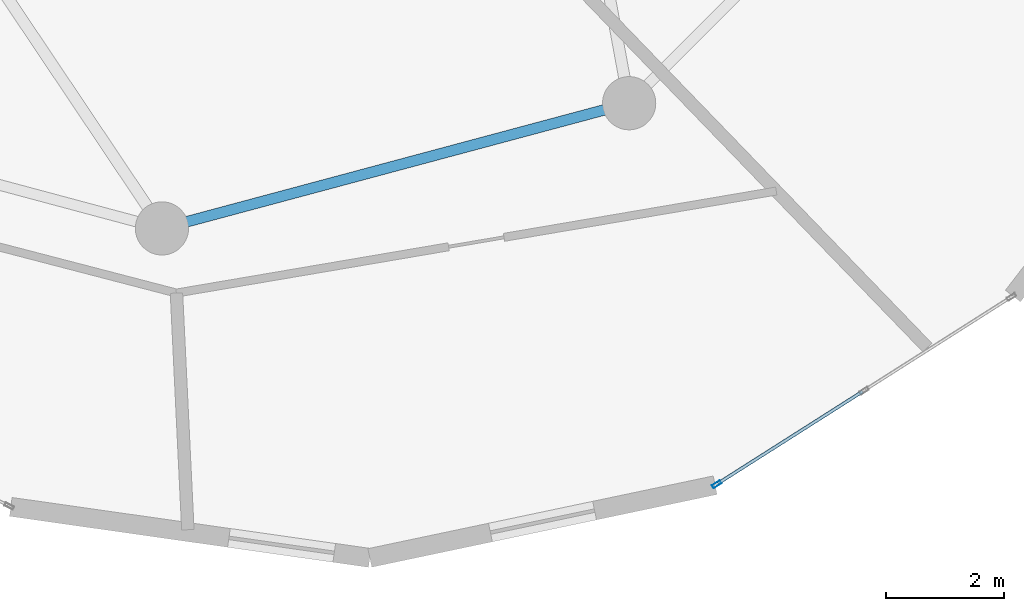
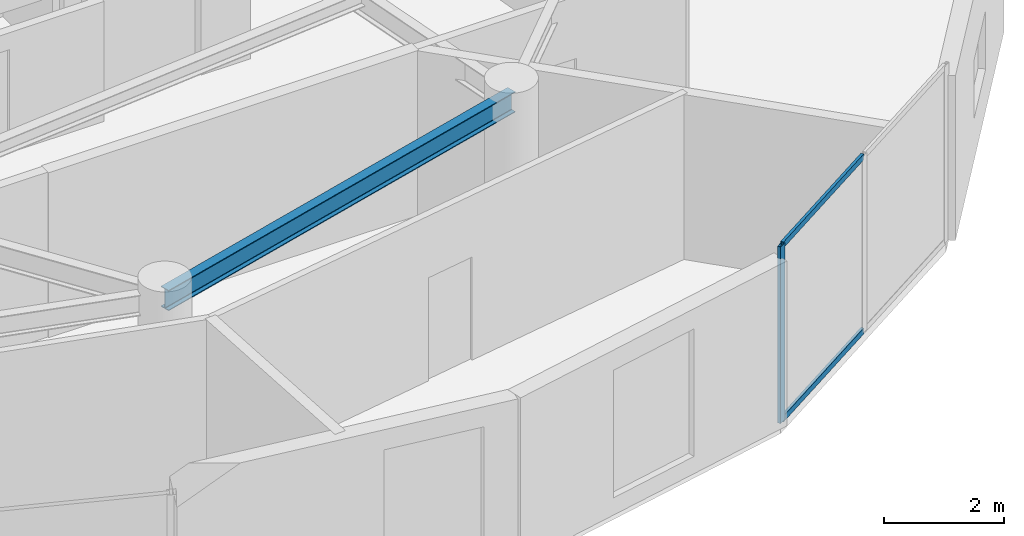
# One storey, part 5 of 19: 3 members, 1 beam, 1 element without a shape of its own.
"""IFC4 building model written with IfcOpenShell, lengths in metres."""

import ifcopenshell
import ifcopenshell.guid

model = None  # the IFC model being written
_history = None  # IfcOwnerHistory: only IFC2X3 demands one
_inside = {}  # id of a spatial element -> (the spatial element, [elements in it])
_under = {}  # id of a project, library or spatial element -> (it, [spatial elements below it])
_declared = {}  # id of a project -> (the project, [libraries it declares])
_typed = {}  # id of a type object -> (the type object, [elements of that type])
_made_of = {}  # id of a material, layer set ... -> (it, [elements and type objects made of it])


def new_model(schema):
    """Start an empty IFC model of exactly this schema.

    Asked for "IFC4X3", IfcOpenShell would pick the latest addendum, in which some entities
    have other attributes; the version numbers below select the first issue.
    IFC2X3 requires an IfcOwnerHistory on every rooted entity: one is made here for all.
    """
    global model, _history
    if schema == "IFC4X3":
        model = ifcopenshell.file(schema_version=(4, 3, 0, 0))
    else:
        model = ifcopenshell.file(schema=schema)
    _inside.clear()
    _under.clear()
    _declared.clear()
    _typed.clear()
    _made_of.clear()
    _history = None
    if model.schema == "IFC2X3":
        org = make("IfcOrganization", Name="unknown")
        user = make(
            "IfcPersonAndOrganization",
            ThePerson=make("IfcPerson", FamilyName="unknown"),
            TheOrganization=org,
        )
        app = make(
            "IfcApplication",
            ApplicationDeveloper=org,
            Version="unknown",
            ApplicationFullName="unknown",
            ApplicationIdentifier="unknown",
        )
        _history = make(
            "IfcOwnerHistory",
            OwningUser=user,
            OwningApplication=app,
            ChangeAction="ADDED",
            CreationDate=0,
        )
    return model


def make(cls, **values):
    """One entity of the class cls with the attributes given. An attribute that is None is left unset."""
    return model.create_entity(
        cls, **{name: value for name, value in values.items() if value is not None}
    )


def rooted(cls, **values):
    """An entity with a GlobalId (a new one), such as an element, a storey or a relation."""
    return make(cls, GlobalId=ifcopenshell.guid.new(), OwnerHistory=_history, **values)


def si_unit(unit_type, name, prefix=None):
    """IfcSIUnit, for example si_unit("LENGTHUNIT", "METRE", prefix="MILLI")."""
    return make("IfcSIUnit", UnitType=unit_type, Prefix=prefix, Name=name)


def assignment(units):
    """IfcUnitAssignment: the units of a project."""
    return None if units is None else make("IfcUnitAssignment", Units=units)


def point(xyz):
    """IfcCartesianPoint."""
    return None if xyz is None else make("IfcCartesianPoint", Coordinates=xyz)


def direction(xyz):
    """IfcDirection."""
    return None if xyz is None else make("IfcDirection", DirectionRatios=xyz)


def frame(location, z_axis=None, x_axis=None):
    """IfcAxis2Placement3D, a coordinate frame: its origin and axes. An axis left out is left unset."""
    return make(
        "IfcAxis2Placement3D",
        Location=point(location),
        Axis=direction(z_axis),
        RefDirection=direction(x_axis),
    )


def frame_2d(location, x_axis=None):
    """IfcAxis2Placement2D, a coordinate frame in the plane: its origin and x axis."""
    return make(
        "IfcAxis2Placement2D", Location=point(location), RefDirection=direction(x_axis)
    )


def origin():
    """The frame at (0, 0, 0) with its axes left unset."""
    return frame((0.0, 0.0, 0.0))


def origin_2d():
    """The frame at (0, 0) in the plane with its x axis left unset."""
    return frame_2d((0.0, 0.0))


def place(relative_to, where):
    """IfcLocalPlacement: puts the frame where relative to a parent placement (None: the world)."""
    return make(
        "IfcLocalPlacement", PlacementRelTo=relative_to, RelativePlacement=where
    )


def context(
    kind, dimensions, precision=None, world=None, true_north=None, identifier=None
):
    """IfcGeometricRepresentationContext, for example the 3D "Model" context."""
    return make(
        "IfcGeometricRepresentationContext",
        ContextIdentifier=identifier,
        ContextType=kind,
        CoordinateSpaceDimension=dimensions,
        Precision=precision,
        WorldCoordinateSystem=world,
        TrueNorth=true_north,
    )


def subcontext(parent, identifier, kind, view, scale=None):
    """IfcGeometricRepresentationSubContext, for example "Body" below "Model"."""
    return make(
        "IfcGeometricRepresentationSubContext",
        ContextIdentifier=identifier,
        ContextType=kind,
        ParentContext=parent,
        TargetScale=scale,
        TargetView=view,
    )


def project(units=None, contexts=None):
    """IfcProject with its units and contexts."""
    return rooted(
        "IfcProject",
        Name="project",
        RepresentationContexts=contexts,
        UnitsInContext=assignment(units),
    )


def spatial(cls, under=None, at=None, **own):
    """A site, building, storey or space (cls), placed at a placement, below another one or the project."""
    s = rooted(cls, ObjectPlacement=at, **own)
    if under is not None:
        _under.setdefault(under.id(), (under, []))[1].append(s)
    return s


def profile(cls, at=None, kind="AREA", **sizes):
    """A parametric profile (cls). Its sizes go by their IFC names, for example OverallWidth=200.0."""
    return make(cls, ProfileType=kind, Position=at, **sizes)


def hollow_rectangle(**sizes):
    """IfcRectangleHollowProfileDef."""
    return profile("IfcRectangleHollowProfileDef", **sizes)


def i_section(**sizes):
    """IfcIShapeProfileDef."""
    return profile("IfcIShapeProfileDef", **sizes)


def extrude(swept, where, along, depth):
    """IfcExtrudedAreaSolid: the profile swept, set in the frame where, extruded along a direction by depth."""
    return make(
        "IfcExtrudedAreaSolid",
        SweptArea=swept,
        Position=where,
        ExtrudedDirection=direction(along),
        Depth=depth,
    )


def shape(context_of_items, identifier, shape_type, items):
    """IfcShapeRepresentation: the items that make up one representation, for example the "Body"."""
    return make(
        "IfcShapeRepresentation",
        ContextOfItems=context_of_items,
        RepresentationIdentifier=identifier,
        RepresentationType=shape_type,
        Items=items,
    )


def source(mapping_origin, context_of_items, identifier, shape_type, items):
    """IfcRepresentationMap: a shape defined once, which mapped items show again and again."""
    return make(
        "IfcRepresentationMap",
        MappingOrigin=mapping_origin,
        MappedRepresentation=shape(context_of_items, identifier, shape_type, items),
    )


def transform(
    local_origin,
    x_axis=None,
    y_axis=None,
    z_axis=None,
    scale=None,
    scale2=None,
    scale3=None,
    uniform=True,
):
    """IfcCartesianTransformationOperator3D, or its non-uniform kind. x_axis, y_axis, z_axis: its Axis1, 2, 3."""
    if uniform:
        return make(
            "IfcCartesianTransformationOperator3D",
            Axis1=direction(x_axis),
            Axis2=direction(y_axis),
            LocalOrigin=point(local_origin),
            Scale=scale,
            Axis3=direction(z_axis),
        )
    return make(
        "IfcCartesianTransformationOperator3DnonUniform",
        Axis1=direction(x_axis),
        Axis2=direction(y_axis),
        LocalOrigin=point(local_origin),
        Scale=scale,
        Axis3=direction(z_axis),
        Scale2=scale2,
        Scale3=scale3,
    )


def mapped(mapping_source, mapping_target):
    """IfcMappedItem: shows the shape of a source again, moved by a transform."""
    return make(
        "IfcMappedItem", MappingSource=mapping_source, MappingTarget=mapping_target
    )


def material(Name=None, Category=None):
    """IfcMaterial."""
    return make("IfcMaterial", Name=Name, Category=Category)


def layer(
    of_material, thickness, ventilated=None, Name=None, Category=None, Priority=None
):
    """IfcMaterialLayer: one layer of a wall or slab, of a material (None: an air gap)."""
    return make(
        "IfcMaterialLayer",
        Material=of_material,
        LayerThickness=thickness,
        IsVentilated=ventilated,
        Name=Name,
        Category=Category,
        Priority=Priority,
    )


def layer_set(layers, Name=None):
    """IfcMaterialLayerSet."""
    return make("IfcMaterialLayerSet", MaterialLayers=layers, LayerSetName=Name)


def material_profile(
    of_material, cross_section, Name=None, Category=None, Priority=None
):
    """IfcMaterialProfile: a cross section and its material."""
    return make(
        "IfcMaterialProfile",
        Name=Name,
        Material=of_material,
        Profile=cross_section,
        Priority=Priority,
        Category=Category,
    )


def profile_set(profiles, Name=None, composite=None):
    """IfcMaterialProfileSet."""
    return make(
        "IfcMaterialProfileSet",
        Name=Name,
        MaterialProfiles=profiles,
        CompositeProfile=composite,
    )


def made_of(thing, what):
    """Note that an element or type object is made of a material, layer set ...; save() writes the relation."""
    if what is not None:
        _made_of.setdefault(what.id(), (what, []))[1].append(thing)
    return thing


def type_object(cls, material=None, **own):
    """A type object (cls), such as IfcWallType, which elements share."""
    return made_of(rooted(cls, **own), material)


def element(
    cls,
    number,
    at=None,
    inside=None,
    cuts=None,
    type_object=None,
    material=None,
    context=None,
    identifier="Body",
    shape_type=None,
    held_by="IfcProductDefinitionShape",
    body=None,
    shapes=None,
    **own,
):
    """One element of the class cls, such as IfcWall. Its Tag is "e" and its number.

    at: its placement. inside: the storey or other place that contains it. cuts: it is an
    opening in that element (IfcRelVoidsElement). A single representation is given by context,
    identifier, shape_type and body (its items); several are given by shapes. held_by: the class
    of the entity that holds the representations. save() writes the other relations.
    """
    e = rooted(cls, Tag="e%d" % number, ObjectPlacement=at, **own)
    if body is not None:
        shapes = [shape(context, identifier, shape_type, body)]
    if shapes is not None:
        e.Representation = make(held_by, Representations=shapes)
    if inside is not None:
        _inside.setdefault(inside.id(), (inside, []))[1].append(e)
    if cuts is not None:
        rooted(
            "IfcRelVoidsElement", RelatingBuildingElement=cuts, RelatedOpeningElement=e
        )
    if type_object is not None:
        _typed.setdefault(type_object.id(), (type_object, []))[1].append(e)
    return made_of(e, material)


def aggregate(whole, parts):
    """IfcRelAggregates: a whole, such as a stair, and the parts it consists of."""
    return rooted("IfcRelAggregates", RelatingObject=whole, RelatedObjects=parts)


def save(model, path):
    """Write the relations noted so far, then the file.

    IfcRelAggregates (storeys below a building ...), IfcRelContainedInSpatialStructure (elements
    in a storey), IfcRelDefinesByType, IfcRelAssociatesMaterial and IfcRelDeclares: one each for
    every whole, place, type object, material and project.
    """
    for whole, parts in _under.values():
        aggregate(whole, parts)
    for where, things in _inside.values():
        rooted(
            "IfcRelContainedInSpatialStructure",
            RelatedElements=things,
            RelatingStructure=where,
        )
    for kind, things in _typed.values():
        rooted("IfcRelDefinesByType", RelatedObjects=things, RelatingType=kind)
    for what, things in _made_of.values():
        rooted("IfcRelAssociatesMaterial", RelatedObjects=things, RelatingMaterial=what)
    for by, libraries in _declared.values():
        rooted("IfcRelDeclares", RelatingContext=by, RelatedDefinitions=libraries)
    model.write(path)


model = new_model("IFC4")

# Units and contexts
model_context = context("Model", 3, precision=1e-05, world=origin(), true_north=direction((0.0, 1.0)))
body_context = subcontext(model_context, "Body", "Model", "MODEL_VIEW")
ifc_project = project(units=[si_unit("LENGTHUNIT", "METRE"), si_unit("AREAUNIT", "SQUARE_METRE"), si_unit("VOLUMEUNIT", "CUBIC_METRE"), si_unit("PLANEANGLEUNIT", "RADIAN"), si_unit("MASSUNIT", "GRAM", prefix="KILO")], contexts=[model_context])

# Site, building, storey
site_placement = place(None, origin())
site = spatial("IfcSite", under=ifc_project, at=site_placement, CompositionType="ELEMENT")
building_placement = place(site_placement, origin())
building = spatial("IfcBuilding", under=site, at=building_placement, Name="Solvirekh Grand Hotel", CompositionType="ELEMENT")
storey_placement = place(building_placement, frame((0.0, 0.0, 212.800048828125)))
storey = spatial("IfcBuildingStorey", under=building, at=storey_placement, Name="L55", CompositionType="ELEMENT", Elevation=212.800048828125)

# Beam
ifc_material_1 = material(Name="Steel S355", Category="steel")
ifc_material_profile_1 = material_profile(ifc_material_1, i_section(OverallWidth=0.180908203125, OverallDepth=0.4169921875, WebThickness=0.010009765625, FlangeThickness=0.01611328125, FilletRadius=0.011962890625, at=origin_2d()), Name="W410X85")
ifc_profile_set_1 = profile_set([ifc_material_profile_1], Name="Steel S355")
beam_type = type_object("IfcBeamType", Name="Spandrel_Ring_W410", PredefinedType="SPANDREL", material=ifc_profile_set_1)
beam_placement = place(storey_placement, frame((0.0, -15.800048828125, 3.15185546875), z_axis=(0.965920601923, 0.258838541915, 0.0), x_axis=(-0.258838541915, 0.965920601923, 0.0)))
element("IfcBeam", 1, at=beam_placement, inside=storey, type_object=beam_type, Name="L55 perimeter spandrel beam 10", PredefinedType="SPANDREL", context=body_context, shape_type="SweptSolid", body=[
    extrude(i_section(OverallWidth=0.180908203125, OverallDepth=0.4169921875, WebThickness=0.010009765625, FlangeThickness=0.01611328125, FilletRadius=0.011962890625, at=origin_2d()), origin(), (0.0, 0.0, 1.0), 8.1787109375),
])

# Curtain wall, members
ifc_material_2 = material(Name="Anodized Bronze Aluminium 6063-T6", Category="aluminium")
ifc_layer = layer(ifc_material_2, 0.159912109375)
ifc_layer_set = layer_set([ifc_layer], Name="Anodized Bronze Aluminium 6063-T6")
curtain_wall_type = type_object("IfcCurtainWallType", Name="CW_Sys4_HighZoneFlushBronzeCW", PredefinedType="NOTDEFINED", material=ifc_layer_set)
curtain_wall_placement = place(storey_placement, origin())
curtain_wall = element("IfcCurtainWall", 2, at=curtain_wall_placement, inside=storey, type_object=curtain_wall_type, Name="L55 unitised bronze-glass curtain wall CW-L55-C01", PredefinedType="NOTDEFINED")
ifc_material_profile_2 = material_profile(ifc_material_2, hollow_rectangle(XDim=0.06005859375, YDim=0.159912109375, WallThickness=0.0048828125, at=origin_2d()), Name="ALU RHS 160X60X5")
ifc_profile_set_2 = profile_set([ifc_material_profile_2], Name="Anodized Bronze Aluminium 6063-T6")
member_type_1 = type_object("IfcMemberType", Name="CWMullion_Sys4", PredefinedType="MULLION", material=ifc_profile_set_2)
shared_shape_1 = source(origin(), body_context, "Body", "SweptSolid", [
    extrude(hollow_rectangle(XDim=0.06005859375, YDim=0.159912109375, WallThickness=0.0048828125, at=origin_2d()), origin(), (0.0, 0.0, 1.0), 3.599853515625),
])
member_1_placement = place(storey_placement, frame((9.37939453125, -20.126953125, 0.0), z_axis=(0.0, 0.0, 1.0), x_axis=(-0.53631145654, 0.844020154726, 0.0)))
member_1 = element("IfcMember", 3, at=member_1_placement, type_object=member_type_1, Name="U04 mullion 1", PredefinedType="MULLION", context=body_context, shape_type="MappedRepresentation", body=[
    mapped(shared_shape_1, transform((0.0, 0.0, 0.0), x_axis=(1.0, 0.0, 0.0), y_axis=(0.0, 1.0, 0.0), z_axis=(0.0, 0.0, 1.0), scale=1.0)),
])
ifc_material_profile_3 = material_profile(ifc_material_2, hollow_rectangle(XDim=0.054931640625, YDim=0.1201171875, WallThickness=0.00390625, at=origin_2d()), Name="ALU RHS 120X55X4")
ifc_profile_set_3 = profile_set([ifc_material_profile_3], Name="Anodized Bronze Aluminium 6063-T6")
member_type_2 = type_object("IfcMemberType", Name="CWTransom_Sys4", PredefinedType="USERDEFINED", material=ifc_profile_set_3)
shared_shape_2 = source(origin(), body_context, "Body", "SweptSolid", [
    extrude(hollow_rectangle(XDim=0.054931640625, YDim=0.1201171875, WallThickness=0.00390625, at=origin_2d()), origin(), (0.0, 0.0, 1.0), 2.8935546875),
])
member_2_placement = place(storey_placement, frame((9.404541015625, -20.11083984375, 0.02734375), z_axis=(0.844026100688, 0.536302098968, 0.0), x_axis=(-0.536302098968, 0.844026100688, 0.0)))
member_2 = element("IfcMember", 4, at=member_2_placement, type_object=member_type_2, Name="U04 transom 1.1", ObjectType="TRANSOM", PredefinedType="USERDEFINED", context=body_context, shape_type="MappedRepresentation", body=[
    mapped(shared_shape_2, transform((0.0, 0.0, 0.0), x_axis=(1.0, 0.0, 0.0), y_axis=(0.0, 1.0, 0.0), z_axis=(0.0, 0.0, 1.0), scale=1.0)),
])
member_3_placement = place(storey_placement, frame((9.404541015625, -20.11083984375, 3.572509765625), z_axis=(0.844026100688, 0.536302098968, 0.0), x_axis=(-0.536302098968, 0.844026100688, 0.0)))
member_3 = element("IfcMember", 5, at=member_3_placement, type_object=member_type_2, Name="U04 transom 1.2", ObjectType="TRANSOM", PredefinedType="USERDEFINED", context=body_context, shape_type="MappedRepresentation", body=[
    mapped(shared_shape_2, transform((0.0, 0.0, 0.0), x_axis=(1.0, 0.0, 0.0), y_axis=(0.0, 1.0, 0.0), z_axis=(0.0, 0.0, 1.0), scale=1.0)),
])
aggregate(curtain_wall, [member_1, member_2, member_3])

save(model, "model.ifc")
